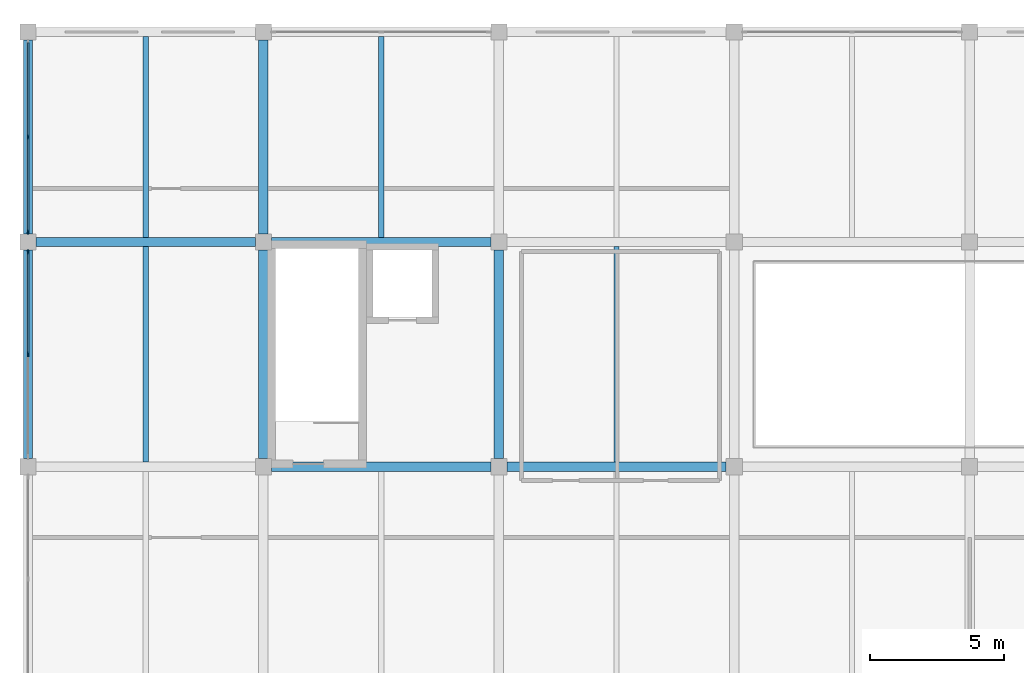
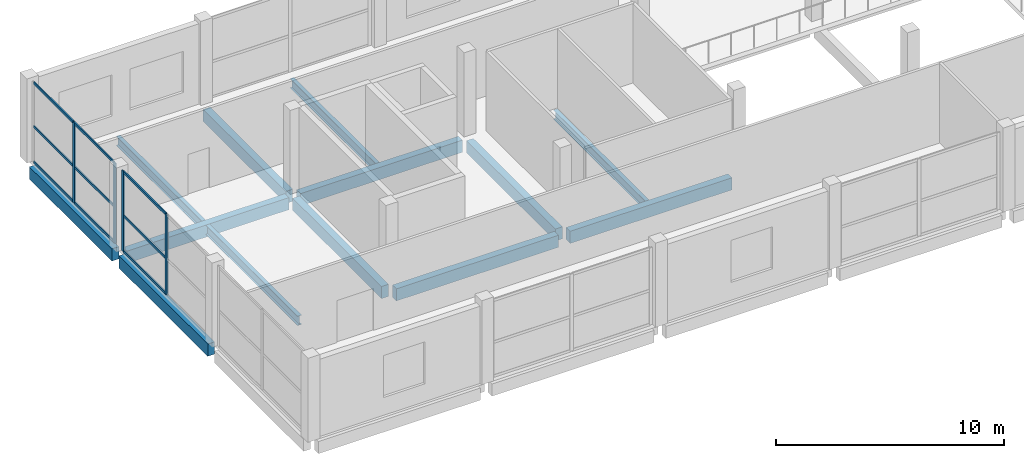
# One storey, part 3 of 18: 13 beams, 13 members, 2 elements without a shape of their own.
"""IFC4 building model written with IfcOpenShell, lengths in metres."""

import ifcopenshell
import ifcopenshell.guid

model = None  # the IFC model being written
_history = None  # IfcOwnerHistory: only IFC2X3 demands one
_inside = {}  # id of a spatial element -> (the spatial element, [elements in it])
_under = {}  # id of a project, library or spatial element -> (it, [spatial elements below it])
_declared = {}  # id of a project -> (the project, [libraries it declares])
_typed = {}  # id of a type object -> (the type object, [elements of that type])
_made_of = {}  # id of a material, layer set ... -> (it, [elements and type objects made of it])


def new_model(schema):
    """Start an empty IFC model of exactly this schema.

    Asked for "IFC4X3", IfcOpenShell would pick the latest addendum, in which some entities
    have other attributes; the version numbers below select the first issue.
    IFC2X3 requires an IfcOwnerHistory on every rooted entity: one is made here for all.
    """
    global model, _history
    if schema == "IFC4X3":
        model = ifcopenshell.file(schema_version=(4, 3, 0, 0))
    else:
        model = ifcopenshell.file(schema=schema)
    _inside.clear()
    _under.clear()
    _declared.clear()
    _typed.clear()
    _made_of.clear()
    _history = None
    if model.schema == "IFC2X3":
        org = make("IfcOrganization", Name="unknown")
        user = make(
            "IfcPersonAndOrganization",
            ThePerson=make("IfcPerson", FamilyName="unknown"),
            TheOrganization=org,
        )
        app = make(
            "IfcApplication",
            ApplicationDeveloper=org,
            Version="unknown",
            ApplicationFullName="unknown",
            ApplicationIdentifier="unknown",
        )
        _history = make(
            "IfcOwnerHistory",
            OwningUser=user,
            OwningApplication=app,
            ChangeAction="ADDED",
            CreationDate=0,
        )
    return model


def make(cls, **values):
    """One entity of the class cls with the attributes given. An attribute that is None is left unset."""
    return model.create_entity(
        cls, **{name: value for name, value in values.items() if value is not None}
    )


def rooted(cls, **values):
    """An entity with a GlobalId (a new one), such as an element, a storey or a relation."""
    return make(cls, GlobalId=ifcopenshell.guid.new(), OwnerHistory=_history, **values)


def si_unit(unit_type, name, prefix=None):
    """IfcSIUnit, for example si_unit("LENGTHUNIT", "METRE", prefix="MILLI")."""
    return make("IfcSIUnit", UnitType=unit_type, Prefix=prefix, Name=name)


def assignment(units):
    """IfcUnitAssignment: the units of a project."""
    return None if units is None else make("IfcUnitAssignment", Units=units)


def point(xyz):
    """IfcCartesianPoint."""
    return None if xyz is None else make("IfcCartesianPoint", Coordinates=xyz)


def direction(xyz):
    """IfcDirection."""
    return None if xyz is None else make("IfcDirection", DirectionRatios=xyz)


def frame(location, z_axis=None, x_axis=None):
    """IfcAxis2Placement3D, a coordinate frame: its origin and axes. An axis left out is left unset."""
    return make(
        "IfcAxis2Placement3D",
        Location=point(location),
        Axis=direction(z_axis),
        RefDirection=direction(x_axis),
    )


def frame_2d(location, x_axis=None):
    """IfcAxis2Placement2D, a coordinate frame in the plane: its origin and x axis."""
    return make(
        "IfcAxis2Placement2D", Location=point(location), RefDirection=direction(x_axis)
    )


def origin():
    """The frame at (0, 0, 0) with its axes left unset."""
    return frame((0.0, 0.0, 0.0))


def origin_2d():
    """The frame at (0, 0) in the plane with its x axis left unset."""
    return frame_2d((0.0, 0.0))


def place(relative_to, where):
    """IfcLocalPlacement: puts the frame where relative to a parent placement (None: the world)."""
    return make(
        "IfcLocalPlacement", PlacementRelTo=relative_to, RelativePlacement=where
    )


def context(
    kind, dimensions, precision=None, world=None, true_north=None, identifier=None
):
    """IfcGeometricRepresentationContext, for example the 3D "Model" context."""
    return make(
        "IfcGeometricRepresentationContext",
        ContextIdentifier=identifier,
        ContextType=kind,
        CoordinateSpaceDimension=dimensions,
        Precision=precision,
        WorldCoordinateSystem=world,
        TrueNorth=true_north,
    )


def subcontext(parent, identifier, kind, view, scale=None):
    """IfcGeometricRepresentationSubContext, for example "Body" below "Model"."""
    return make(
        "IfcGeometricRepresentationSubContext",
        ContextIdentifier=identifier,
        ContextType=kind,
        ParentContext=parent,
        TargetScale=scale,
        TargetView=view,
    )


def project(units=None, contexts=None):
    """IfcProject with its units and contexts."""
    return rooted(
        "IfcProject",
        Name="project",
        RepresentationContexts=contexts,
        UnitsInContext=assignment(units),
    )


def spatial(cls, under=None, at=None, **own):
    """A site, building, storey or space (cls), placed at a placement, below another one or the project."""
    s = rooted(cls, ObjectPlacement=at, **own)
    if under is not None:
        _under.setdefault(under.id(), (under, []))[1].append(s)
    return s


def profile(cls, at=None, kind="AREA", **sizes):
    """A parametric profile (cls). Its sizes go by their IFC names, for example OverallWidth=200.0."""
    return make(cls, ProfileType=kind, Position=at, **sizes)


def rectangle(**sizes):
    """IfcRectangleProfileDef."""
    return profile("IfcRectangleProfileDef", **sizes)


def i_section(**sizes):
    """IfcIShapeProfileDef."""
    return profile("IfcIShapeProfileDef", **sizes)


def extrude(swept, where, along, depth):
    """IfcExtrudedAreaSolid: the profile swept, set in the frame where, extruded along a direction by depth."""
    return make(
        "IfcExtrudedAreaSolid",
        SweptArea=swept,
        Position=where,
        ExtrudedDirection=direction(along),
        Depth=depth,
    )


def shape(context_of_items, identifier, shape_type, items):
    """IfcShapeRepresentation: the items that make up one representation, for example the "Body"."""
    return make(
        "IfcShapeRepresentation",
        ContextOfItems=context_of_items,
        RepresentationIdentifier=identifier,
        RepresentationType=shape_type,
        Items=items,
    )


def material(Name=None, Category=None):
    """IfcMaterial."""
    return make("IfcMaterial", Name=Name, Category=Category)


def material_profile(
    of_material, cross_section, Name=None, Category=None, Priority=None
):
    """IfcMaterialProfile: a cross section and its material."""
    return make(
        "IfcMaterialProfile",
        Name=Name,
        Material=of_material,
        Profile=cross_section,
        Priority=Priority,
        Category=Category,
    )


def profile_set(profiles, Name=None, composite=None):
    """IfcMaterialProfileSet."""
    return make(
        "IfcMaterialProfileSet",
        Name=Name,
        MaterialProfiles=profiles,
        CompositeProfile=composite,
    )


def made_of(thing, what):
    """Note that an element or type object is made of a material, layer set ...; save() writes the relation."""
    if what is not None:
        _made_of.setdefault(what.id(), (what, []))[1].append(thing)
    return thing


def type_object(cls, material=None, **own):
    """A type object (cls), such as IfcWallType, which elements share."""
    return made_of(rooted(cls, **own), material)


def element(
    cls,
    number,
    at=None,
    inside=None,
    cuts=None,
    type_object=None,
    material=None,
    context=None,
    identifier="Body",
    shape_type=None,
    held_by="IfcProductDefinitionShape",
    body=None,
    shapes=None,
    **own,
):
    """One element of the class cls, such as IfcWall. Its Tag is "e" and its number.

    at: its placement. inside: the storey or other place that contains it. cuts: it is an
    opening in that element (IfcRelVoidsElement). A single representation is given by context,
    identifier, shape_type and body (its items); several are given by shapes. held_by: the class
    of the entity that holds the representations. save() writes the other relations.
    """
    e = rooted(cls, Tag="e%d" % number, ObjectPlacement=at, **own)
    if body is not None:
        shapes = [shape(context, identifier, shape_type, body)]
    if shapes is not None:
        e.Representation = make(held_by, Representations=shapes)
    if inside is not None:
        _inside.setdefault(inside.id(), (inside, []))[1].append(e)
    if cuts is not None:
        rooted(
            "IfcRelVoidsElement", RelatingBuildingElement=cuts, RelatedOpeningElement=e
        )
    if type_object is not None:
        _typed.setdefault(type_object.id(), (type_object, []))[1].append(e)
    return made_of(e, material)


def aggregate(whole, parts):
    """IfcRelAggregates: a whole, such as a stair, and the parts it consists of."""
    return rooted("IfcRelAggregates", RelatingObject=whole, RelatedObjects=parts)


def save(model, path):
    """Write the relations noted so far, then the file.

    IfcRelAggregates (storeys below a building ...), IfcRelContainedInSpatialStructure (elements
    in a storey), IfcRelDefinesByType, IfcRelAssociatesMaterial and IfcRelDeclares: one each for
    every whole, place, type object, material and project.
    """
    for whole, parts in _under.values():
        aggregate(whole, parts)
    for where, things in _inside.values():
        rooted(
            "IfcRelContainedInSpatialStructure",
            RelatedElements=things,
            RelatingStructure=where,
        )
    for kind, things in _typed.values():
        rooted("IfcRelDefinesByType", RelatedObjects=things, RelatingType=kind)
    for what, things in _made_of.values():
        rooted("IfcRelAssociatesMaterial", RelatedObjects=things, RelatingMaterial=what)
    for by, libraries in _declared.values():
        rooted("IfcRelDeclares", RelatingContext=by, RelatedDefinitions=libraries)
    model.write(path)


model = new_model("IFC4")

# Units and contexts
model_context = context("Model", 3, precision=1e-05, world=origin(), true_north=direction((0.0, 1.0)))
body_context = subcontext(model_context, "Body", "Model", "MODEL_VIEW")
ifc_project = project(units=[si_unit("LENGTHUNIT", "METRE"), si_unit("AREAUNIT", "SQUARE_METRE"), si_unit("VOLUMEUNIT", "CUBIC_METRE"), si_unit("PLANEANGLEUNIT", "RADIAN"), si_unit("MASSUNIT", "GRAM", prefix="KILO")], contexts=[model_context])

# Site, building, storey
site_placement = place(None, origin())
site = spatial("IfcSite", under=ifc_project, at=site_placement, CompositionType="ELEMENT")
building_placement = place(site_placement, origin())
building = spatial("IfcBuilding", under=site, at=building_placement, Name="Brinegate Botanical Conservatory", CompositionType="ELEMENT")
storey_placement = place(building_placement, frame((0.0, 0.0, 14.699951171875)))
storey = spatial("IfcBuildingStorey", under=building, at=storey_placement, Name="L04", CompositionType="ELEMENT", Elevation=14.699951171875)

# Beams
ifc_material_1 = material(Name="Concrete C40/50", Category="concrete")
ifc_material_profile_1 = material_profile(ifc_material_1, rectangle(XDim=0.35009765625, YDim=0.64990234375, at=origin_2d()), Name="RC BM 350x650")
ifc_profile_set_1 = profile_set([ifc_material_profile_1], Name="Concrete C40/50")
beam_type_1 = type_object("IfcBeamType", Name="Beam_BM-V3", PredefinedType="BEAM", material=ifc_profile_set_1)
beam_1_placement = place(storey_placement, frame((59.89990234375, 95.199951171875, -0.56494140625), z_axis=(1.0, 0.0, 0.0), x_axis=(0.0, 1.0, 0.0)))
element("IfcBeam", 1, at=beam_1_placement, inside=storey, type_object=beam_type_1, Name="Beam BM-V3 L04 M:8-9", PredefinedType="BEAM", context=body_context, shape_type="SweptSolid", body=[
    extrude(rectangle(XDim=0.35009765625, YDim=0.64990234375, at=origin_2d()), origin(), (0.0, 0.0, 1.0), 8.2001953125),
])
for number, where, z_axis, x_axis, name in (
    (2, (68.699951171875, 95.199951171875, -0.56494140625), (1.0, 0.0, 0.0), (0.0, 1.0, 0.0), "Beam BM-V3 L04 M:9-10"),
    (3, (51.10009765625, 103.60009765625, -0.56494140625), (1.0, 0.0, 0.0), (0.0, 1.0, 0.0), "Beam BM-V3 L04 N:7-8"),
):
    element("IfcBeam", number, at=place(storey_placement, frame(where, z_axis=z_axis, x_axis=x_axis)), inside=storey, type_object=beam_type_1, Name=name, PredefinedType="BEAM", context=body_context, shape_type="SweptSolid", body=[
        extrude(rectangle(XDim=0.35009765625, YDim=0.64990234375, at=origin_2d()), origin(), (0.0, 0.0, 1.0), 8.199951171875),
    ])
beam_2_placement = place(storey_placement, frame((59.89990234375, 103.60009765625, -0.56494140625), z_axis=(1.0, 0.0, 0.0), x_axis=(0.0, 1.0, 0.0)))
element("IfcBeam", 4, at=beam_2_placement, inside=storey, type_object=beam_type_1, Name="Beam BM-V3 L04 N:8-9", PredefinedType="BEAM", context=body_context, shape_type="SweptSolid", body=[
    extrude(rectangle(XDim=0.35009765625, YDim=0.64990234375, at=origin_2d()), origin(), (0.0, 0.0, 1.0), 8.2001953125),
])
beam_3_placement = place(storey_placement, frame((50.800048828125, 95.5, -0.56494140625), z_axis=(0.0, 1.0, 0.0), x_axis=(-1.0, 0.0, 0.0)))
element("IfcBeam", 5, at=beam_3_placement, inside=storey, type_object=beam_type_1, Name="Beam BM-V3 L04 7:M-N", PredefinedType="BEAM", context=body_context, shape_type="SweptSolid", body=[
    extrude(rectangle(XDim=0.35009765625, YDim=0.64990234375, at=origin_2d()), origin(), (0.0, 0.0, 1.0), 7.800048828125),
])
beam_4_placement = place(storey_placement, frame((50.800048828125, 103.89990234375, -0.56494140625), z_axis=(0.0, 1.0, 0.0), x_axis=(-1.0, 0.0, 0.0)))
element("IfcBeam", 6, at=beam_4_placement, inside=storey, type_object=beam_type_1, Name="Beam BM-V3 L04 7:N-P", PredefinedType="BEAM", context=body_context, shape_type="SweptSolid", body=[
    extrude(rectangle(XDim=0.35009765625, YDim=0.64990234375, at=origin_2d()), origin(), (0.0, 0.0, 1.0), 7.25),
])
beam_5_placement = place(storey_placement, frame((59.60009765625, 95.5, -0.56494140625), z_axis=(0.0, 1.0, 0.0), x_axis=(-1.0, 0.0, 0.0)))
element("IfcBeam", 7, at=beam_5_placement, inside=storey, type_object=beam_type_1, Name="Beam BM-V3 L04 8:M-N", PredefinedType="BEAM", context=body_context, shape_type="SweptSolid", body=[
    extrude(rectangle(XDim=0.35009765625, YDim=0.64990234375, at=origin_2d()), origin(), (0.0, 0.0, 1.0), 7.800048828125),
])
beam_6_placement = place(storey_placement, frame((59.60009765625, 103.89990234375, -0.56494140625), z_axis=(0.0, 1.0, 0.0), x_axis=(-1.0, 0.0, 0.0)))
element("IfcBeam", 8, at=beam_6_placement, inside=storey, type_object=beam_type_1, Name="Beam BM-V3 L04 8:N-P", PredefinedType="BEAM", context=body_context, shape_type="SweptSolid", body=[
    extrude(rectangle(XDim=0.35009765625, YDim=0.64990234375, at=origin_2d()), origin(), (0.0, 0.0, 1.0), 7.25),
])
beam_7_placement = place(storey_placement, frame((68.39990234375, 95.5, -0.56494140625), z_axis=(0.0, 1.0, 0.0), x_axis=(-1.0, 0.0, 0.0)))
element("IfcBeam", 9, at=beam_7_placement, inside=storey, type_object=beam_type_1, Name="Beam BM-V3 L04 9:M-N", PredefinedType="BEAM", context=body_context, shape_type="SweptSolid", body=[
    extrude(rectangle(XDim=0.35009765625, YDim=0.64990234375, at=origin_2d()), origin(), (0.0, 0.0, 1.0), 7.800048828125),
])
ifc_material_2 = material(Name="Structural steel Q355B / S355", Category="steel")
ifc_material_profile_2 = material_profile(ifc_material_2, i_section(OverallWidth=0.199951171875, OverallDepth=0.5, WebThickness=0.010009765625, FlangeThickness=0.01611328125, at=origin_2d()), Name="HN 500x200x10x16")
ifc_profile_set_2 = profile_set([ifc_material_profile_2], Name="Structural steel Q355B / S355")
beam_type_2 = type_object("IfcBeamType", Name="Beam_JS-S4", PredefinedType="JOIST", material=ifc_profile_set_2)
beam_8_placement = place(storey_placement, frame((55.199951171875, 95.375, -0.489990234375), z_axis=(0.0, 1.0, 0.0), x_axis=(-1.0, 0.0, 0.0)))
element("IfcBeam", 10, at=beam_8_placement, inside=storey, type_object=beam_type_2, Name="Floor joist JS-S4 L04 bay 7.12", PredefinedType="JOIST", context=body_context, shape_type="SweptSolid", body=[
    extrude(i_section(OverallWidth=0.199951171875, OverallDepth=0.5, WebThickness=0.010009765625, FlangeThickness=0.01611328125, at=origin_2d()), origin(), (0.0, 0.0, 1.0), 8.050048828125),
])
for number, where, z_axis, x_axis, name in (
    (11, (55.199951171875, 103.77490234375, -0.489990234375), (0.0, 1.0, 0.0), (-1.0, 0.0, 0.0), "Floor joist JS-S4 L04 bay 7.13"),
    (12, (64.0, 103.77490234375, -0.489990234375), (0.0, 1.0, 0.0), (-1.0, 0.0, 0.0), "Floor joist JS-S4 L04 bay 8.13"),
):
    element("IfcBeam", number, at=place(storey_placement, frame(where, z_axis=z_axis, x_axis=x_axis)), inside=storey, type_object=beam_type_2, Name=name, PredefinedType="JOIST", context=body_context, shape_type="SweptSolid", body=[
        extrude(i_section(OverallWidth=0.199951171875, OverallDepth=0.5, WebThickness=0.010009765625, FlangeThickness=0.01611328125, at=origin_2d()), origin(), (0.0, 0.0, 1.0), 7.5),
    ])
beam_9_placement = place(storey_placement, frame((72.800048828125, 95.375, -0.489990234375), z_axis=(0.0, 1.0, 0.0), x_axis=(-1.0, 0.0, 0.0)))
element("IfcBeam", 13, at=beam_9_placement, inside=storey, type_object=beam_type_2, Name="Floor joist JS-S4 L04 bay 9.12", PredefinedType="JOIST", context=body_context, shape_type="SweptSolid", body=[
    extrude(i_section(OverallWidth=0.199951171875, OverallDepth=0.5, WebThickness=0.010009765625, FlangeThickness=0.01611328125, at=origin_2d()), origin(), (0.0, 0.0, 1.0), 8.050048828125),
])

# Curtain wall, members
ifc_material_3 = material(Name="Thermally broken anodised aluminium AW-6063-T6", Category="aluminium")
curtain_wall_type = type_object("IfcCurtainWallType", Name="CW_CW-V3", PredefinedType="USERDEFINED", material=ifc_material_3)
curtain_wall_1_placement = place(storey_placement, origin())
curtain_wall_1 = element("IfcCurtainWall", 14, at=curtain_wall_1_placement, inside=storey, type_object=curtain_wall_type, Name="Visitor west forecourt curtain wall L04.2", ObjectType="FACTORY CURTAIN WALL", PredefinedType="USERDEFINED")
ifc_material_profile_3 = material_profile(ifc_material_3, rectangle(XDim=0.06494140625, YDim=0.179931640625, at=origin_2d()), Name="ALUM MULLION 65x180")
ifc_profile_set_3 = profile_set([ifc_material_profile_3], Name="Thermally broken anodised aluminium AW-6063-T6")
member_type_1 = type_object("IfcMemberType", Name="Member_ML-02", PredefinedType="MULLION", material=ifc_profile_set_3)
member_1_placement = place(storey_placement, frame((50.800048828125, 99.39990234375, 0.0), z_axis=(0.0, 0.0, 1.0), x_axis=(-1.0, 0.0, 0.0)))
member_1 = element("IfcMember", 15, at=member_1_placement, type_object=member_type_1, Name="CW-V3 mullion 2", PredefinedType="MULLION", context=body_context, shape_type="SweptSolid", body=[
    extrude(rectangle(XDim=0.06494140625, YDim=0.179931640625, at=origin_2d()), origin(), (0.0, 0.0, 1.0), 4.300048828125),
])
member_2_placement = place(storey_placement, frame((50.800048828125, 103.2275390625, 0.0), z_axis=(0.0, 0.0, 1.0), x_axis=(-1.0, 0.0, 0.0)))
member_2 = element("IfcMember", 16, at=member_2_placement, type_object=member_type_1, Name="CW-V3 mullion 3", PredefinedType="MULLION", context=body_context, shape_type="SweptSolid", body=[
    extrude(rectangle(XDim=0.06494140625, YDim=0.179931640625, at=origin_2d()), origin(), (0.0, 0.0, 1.0), 4.300048828125),
])

curtain_wall_2_placement = place(storey_placement, origin())
curtain_wall_2 = element("IfcCurtainWall", 17, at=curtain_wall_2_placement, inside=storey, type_object=curtain_wall_type, Name="Visitor west forecourt curtain wall L04.3", ObjectType="FACTORY CURTAIN WALL", PredefinedType="USERDEFINED")
member_3_placement = place(storey_placement, frame((50.800048828125, 103.972412109375, 0.0), z_axis=(0.0, 0.0, 1.0), x_axis=(-1.0, 0.0, 0.0)))
member_3 = element("IfcMember", 18, at=member_3_placement, type_object=member_type_1, Name="CW-V3 mullion 1", PredefinedType="MULLION", context=body_context, shape_type="SweptSolid", body=[
    extrude(rectangle(XDim=0.06494140625, YDim=0.179931640625, at=origin_2d()), origin(), (0.0, 0.0, 1.0), 4.300048828125),
])
member_4_placement = place(storey_placement, frame((50.800048828125, 107.52490234375, 0.0), z_axis=(0.0, 0.0, 1.0), x_axis=(-1.0, 0.0, 0.0)))
member_4 = element("IfcMember", 19, at=member_4_placement, type_object=member_type_1, Name="CW-V3 mullion 2", PredefinedType="MULLION", context=body_context, shape_type="SweptSolid", body=[
    extrude(rectangle(XDim=0.06494140625, YDim=0.179931640625, at=origin_2d()), origin(), (0.0, 0.0, 1.0), 4.300048828125),
])

# Member
ifc_material_profile_4 = material_profile(ifc_material_3, rectangle(XDim=0.06494140625, YDim=0.135009765625, at=origin_2d()), Name="ALUM TRANSOM 65x135")
ifc_profile_set_4 = profile_set([ifc_material_profile_4], Name="Thermally broken anodised aluminium AW-6063-T6")
member_type_2 = type_object("IfcMemberType", Name="Member_TR-02", PredefinedType="USERDEFINED", material=ifc_profile_set_4)
member_5_placement = place(storey_placement, frame((50.800048828125, 99.4326171875, 0.032470703125), z_axis=(0.0, 1.0, 0.0), x_axis=(-1.0, 0.0, 0.0)))
member_5 = element("IfcMember", 20, at=member_5_placement, type_object=member_type_2, Name="CW-V3 transom 2.1", ObjectType="TRANSOM", PredefinedType="USERDEFINED", context=body_context, shape_type="SweptSolid", body=[
    extrude(rectangle(XDim=0.06494140625, YDim=0.135009765625, at=origin_2d()), origin(), (0.0, 0.0, 1.0), 3.762451171875),
])

member_6_placement = place(storey_placement, frame((50.800048828125, 99.4326171875, 1.93505859375), z_axis=(0.0, 1.0, 0.0), x_axis=(-1.0, 0.0, 0.0)))
member_6 = element("IfcMember", 21, at=member_6_placement, type_object=member_type_2, Name="CW-V3 transom 2.2", ObjectType="TRANSOM", PredefinedType="USERDEFINED", context=body_context, shape_type="SweptSolid", body=[
    extrude(rectangle(XDim=0.06494140625, YDim=0.135009765625, at=origin_2d()), origin(), (0.0, 0.0, 1.0), 3.762451171875),
])

member_7_placement = place(storey_placement, frame((50.800048828125, 99.4326171875, 4.267578125), z_axis=(0.0, 1.0, 0.0), x_axis=(-1.0, 0.0, 0.0)))
member_7 = element("IfcMember", 22, at=member_7_placement, type_object=member_type_2, Name="CW-V3 transom 2.3", ObjectType="TRANSOM", PredefinedType="USERDEFINED", context=body_context, shape_type="SweptSolid", body=[
    extrude(rectangle(XDim=0.06494140625, YDim=0.135009765625, at=origin_2d()), origin(), (0.0, 0.0, 1.0), 3.762451171875),
])

aggregate(curtain_wall_1, [member_1, member_2, member_5, member_6, member_7])

member_8_placement = place(storey_placement, frame((50.800048828125, 104.0048828125, 0.032470703125), z_axis=(0.0, 1.0, 0.0), x_axis=(-1.0, 0.0, 0.0)))
member_8 = element("IfcMember", 23, at=member_8_placement, type_object=member_type_2, Name="CW-V3 transom 1.1", ObjectType="TRANSOM", PredefinedType="USERDEFINED", context=body_context, shape_type="SweptSolid", body=[
    extrude(rectangle(XDim=0.06494140625, YDim=0.135009765625, at=origin_2d()), origin(), (0.0, 0.0, 1.0), 3.487548828125),
])

member_9_placement = place(storey_placement, frame((50.800048828125, 104.0048828125, 1.93505859375), z_axis=(0.0, 1.0, 0.0), x_axis=(-1.0, 0.0, 0.0)))
member_9 = element("IfcMember", 24, at=member_9_placement, type_object=member_type_2, Name="CW-V3 transom 1.2", ObjectType="TRANSOM", PredefinedType="USERDEFINED", context=body_context, shape_type="SweptSolid", body=[
    extrude(rectangle(XDim=0.06494140625, YDim=0.135009765625, at=origin_2d()), origin(), (0.0, 0.0, 1.0), 3.487548828125),
])

member_10_placement = place(storey_placement, frame((50.800048828125, 104.0048828125, 4.267578125), z_axis=(0.0, 1.0, 0.0), x_axis=(-1.0, 0.0, 0.0)))
member_10 = element("IfcMember", 25, at=member_10_placement, type_object=member_type_2, Name="CW-V3 transom 1.3", ObjectType="TRANSOM", PredefinedType="USERDEFINED", context=body_context, shape_type="SweptSolid", body=[
    extrude(rectangle(XDim=0.06494140625, YDim=0.135009765625, at=origin_2d()), origin(), (0.0, 0.0, 1.0), 3.487548828125),
])

member_11_placement = place(storey_placement, frame((50.800048828125, 107.5576171875, 0.032470703125), z_axis=(0.0, 1.0, 0.0), x_axis=(-1.0, 0.0, 0.0)))
member_11 = element("IfcMember", 26, at=member_11_placement, type_object=member_type_2, Name="CW-V3 transom 2.1", ObjectType="TRANSOM", PredefinedType="USERDEFINED", context=body_context, shape_type="SweptSolid", body=[
    extrude(rectangle(XDim=0.06494140625, YDim=0.135009765625, at=origin_2d()), origin(), (0.0, 0.0, 1.0), 3.4873046875),
])

member_12_placement = place(storey_placement, frame((50.800048828125, 107.5576171875, 1.93505859375), z_axis=(0.0, 1.0, 0.0), x_axis=(-1.0, 0.0, 0.0)))
member_12 = element("IfcMember", 27, at=member_12_placement, type_object=member_type_2, Name="CW-V3 transom 2.2", ObjectType="TRANSOM", PredefinedType="USERDEFINED", context=body_context, shape_type="SweptSolid", body=[
    extrude(rectangle(XDim=0.06494140625, YDim=0.135009765625, at=origin_2d()), origin(), (0.0, 0.0, 1.0), 3.4873046875),
])

member_13_placement = place(storey_placement, frame((50.800048828125, 107.5576171875, 4.267578125), z_axis=(0.0, 1.0, 0.0), x_axis=(-1.0, 0.0, 0.0)))
member_13 = element("IfcMember", 28, at=member_13_placement, type_object=member_type_2, Name="CW-V3 transom 2.3", ObjectType="TRANSOM", PredefinedType="USERDEFINED", context=body_context, shape_type="SweptSolid", body=[
    extrude(rectangle(XDim=0.06494140625, YDim=0.135009765625, at=origin_2d()), origin(), (0.0, 0.0, 1.0), 3.4873046875),
])

aggregate(curtain_wall_2, [member_3, member_4, member_8, member_9, member_10, member_11, member_12, member_13])

save(model, "model.ifc")
